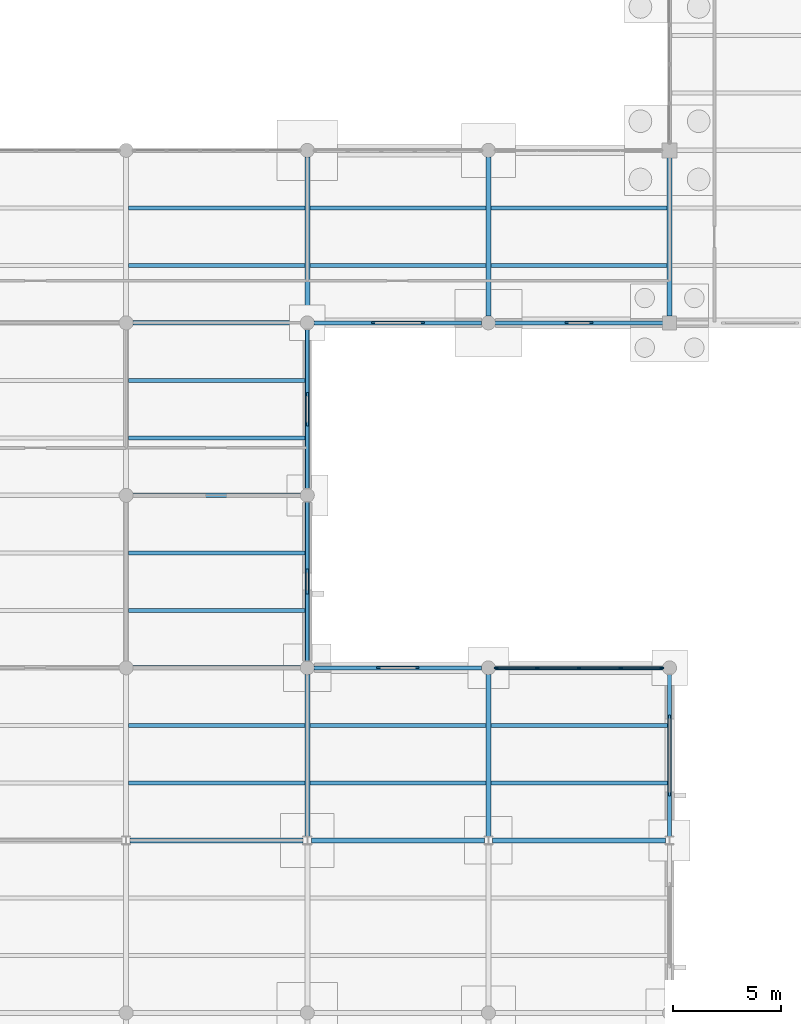
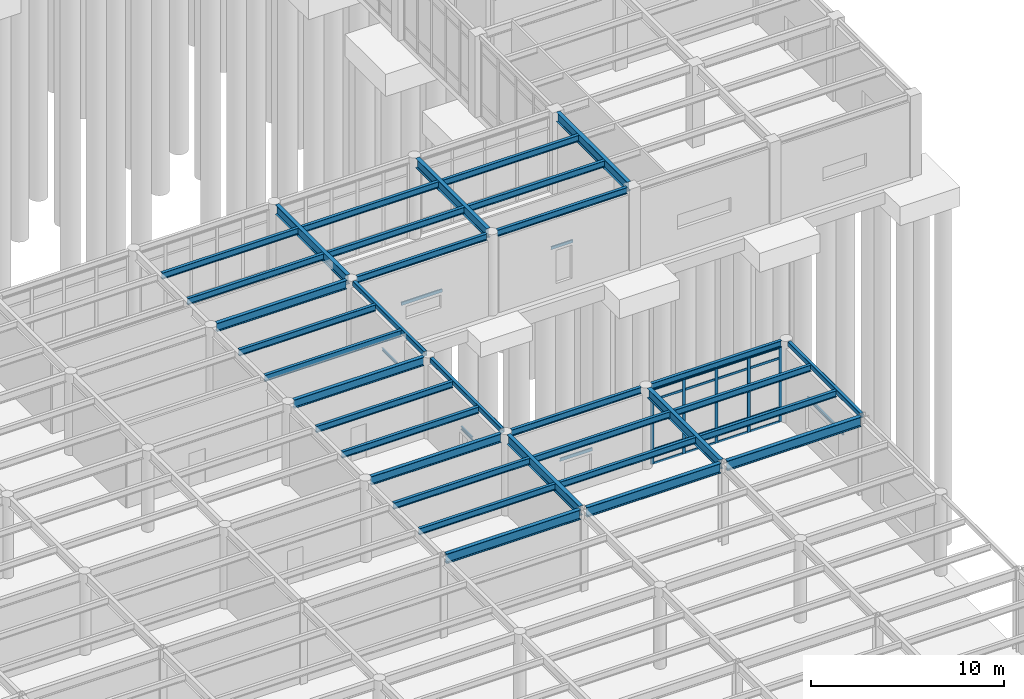
# One storey, part 55 of 138: 40 beams, 21 members, 1 element without a shape of its own.
"""IFC4 building model written with IfcOpenShell, lengths in metres."""

from ifc_helpers import new_model, si_unit, direction, frame, origin, origin_2d, place, context, subcontext, project, spatial, rectangle, hollow_rectangle, i_section, u_section, extrude, material, layer, layer_set, material_profile, profile_set, type_object, element, aggregate, save


model = new_model("IFC4")

# Units and contexts
model_context = context("Model", 3, precision=1e-05, world=origin(), true_north=direction((0.0, 1.0)))
body_context = subcontext(model_context, "Body", "Model", "MODEL_VIEW")
ifc_project = project(units=[si_unit("LENGTHUNIT", "METRE"), si_unit("AREAUNIT", "SQUARE_METRE"), si_unit("VOLUMEUNIT", "CUBIC_METRE"), si_unit("PLANEANGLEUNIT", "RADIAN"), si_unit("MASSUNIT", "GRAM", prefix="KILO")], contexts=[model_context])

# Site, building, storey
site_placement = place(None, origin())
site = spatial("IfcSite", under=ifc_project, at=site_placement, CompositionType="ELEMENT")
building_placement = place(site_placement, origin())
building = spatial("IfcBuilding", under=site, at=building_placement, Name="Kranzveld Transit Interchange", CompositionType="ELEMENT")
storey_placement = place(building_placement, origin())
storey = spatial("IfcBuildingStorey", under=building, at=storey_placement, Name="L00", CompositionType="ELEMENT", Elevation=0.0)

# Curtain wall, members
ifc_material_1 = material(Name="Bronze-anodised thermally broken aluminium", Category="aluminium")
ifc_layer = layer(ifc_material_1, 0.179931640625)
ifc_layer_set = layer_set([ifc_layer], Name="Bronze-anodised thermally broken aluminium")
curtain_wall_type = type_object("IfcCurtainWallType", Name="Concourse Unitised Curtain Wall CW-1", PredefinedType="USERDEFINED", material=ifc_layer_set)
curtain_wall_placement = place(storey_placement, origin())
curtain_wall = element("IfcCurtainWall", 1, at=curtain_wall_placement, inside=storey, type_object=curtain_wall_type, Name="L00 Curtain Wall 18/F-19/F", ObjectType="CURTAIN WALL", PredefinedType="USERDEFINED")
ifc_material_2 = material(Name="Bronze-anodised thermally broken aluminium", Category="aluminium")
ifc_material_profile_1 = material_profile(ifc_material_2, rectangle(XDim=0.06494140625, YDim=0.179931640625, at=origin_2d()), Name="ALU MULLION 65x180")
ifc_profile_set_1 = profile_set([ifc_material_profile_1], Name="Bronze-anodised thermally broken aluminium")
member_type_1 = type_object("IfcMemberType", Name="Curtain Wall Mullion 65x180 Alu", PredefinedType="MULLION", material=ifc_profile_set_1)
member_1_placement = place(storey_placement, frame((143.157470703125, 40.0, 0.0), z_axis=(0.0, 0.0, 1.0), x_axis=(0.0, 1.0, 0.0)))
member_1 = element("IfcMember", 2, at=member_1_placement, type_object=member_type_1, Name="CW-1 mullion 1", PredefinedType="MULLION", context=body_context, shape_type="SweptSolid", body=[
    extrude(rectangle(XDim=0.06494140625, YDim=0.179931640625, at=origin_2d()), origin(), (0.0, 0.0, 1.0), 4.740478515625),
])
member_2_placement = place(storey_placement, frame((145.0625, 40.0, 0.0), z_axis=(0.0, 0.0, 1.0), x_axis=(0.0, 1.0, 0.0)))
member_2 = element("IfcMember", 3, at=member_2_placement, type_object=member_type_1, Name="CW-1 mullion 2", PredefinedType="MULLION", context=body_context, shape_type="SweptSolid", body=[
    extrude(rectangle(XDim=0.06494140625, YDim=0.179931640625, at=origin_2d()), origin(), (0.0, 0.0, 1.0), 4.740478515625),
])
member_3_placement = place(storey_placement, frame((147.0, 40.0, 0.0), z_axis=(0.0, 0.0, 1.0), x_axis=(0.0, 1.0, 0.0)))
member_3 = element("IfcMember", 4, at=member_3_placement, type_object=member_type_1, Name="CW-1 mullion 3", PredefinedType="MULLION", context=body_context, shape_type="SweptSolid", body=[
    extrude(rectangle(XDim=0.06494140625, YDim=0.179931640625, at=origin_2d()), origin(), (0.0, 0.0, 1.0), 4.740478515625),
])
member_4_placement = place(storey_placement, frame((148.9375, 40.0, 0.0), z_axis=(0.0, 0.0, 1.0), x_axis=(0.0, 1.0, 0.0)))
member_4 = element("IfcMember", 5, at=member_4_placement, type_object=member_type_1, Name="CW-1 mullion 4", PredefinedType="MULLION", context=body_context, shape_type="SweptSolid", body=[
    extrude(rectangle(XDim=0.06494140625, YDim=0.179931640625, at=origin_2d()), origin(), (0.0, 0.0, 1.0), 4.740478515625),
])
member_5_placement = place(storey_placement, frame((150.842529296875, 40.0, 0.0), z_axis=(0.0, 0.0, 1.0), x_axis=(0.0, 1.0, 0.0)))
member_5 = element("IfcMember", 6, at=member_5_placement, type_object=member_type_1, Name="CW-1 mullion 5", PredefinedType="MULLION", context=body_context, shape_type="SweptSolid", body=[
    extrude(rectangle(XDim=0.06494140625, YDim=0.179931640625, at=origin_2d()), origin(), (0.0, 0.0, 1.0), 4.740478515625),
])
ifc_material_3 = material(Name="Bronze-anodised thermally broken aluminium", Category="aluminium")
ifc_material_profile_2 = material_profile(ifc_material_3, rectangle(XDim=0.06494140625, YDim=0.139892578125, at=origin_2d()), Name="ALU TRANSOM 65x140")
ifc_profile_set_2 = profile_set([ifc_material_profile_2], Name="Bronze-anodised thermally broken aluminium")
member_type_2 = type_object("IfcMemberType", Name="Curtain Wall Transom 65x140 Alu", PredefinedType="USERDEFINED", material=ifc_profile_set_2)
member_6_placement = place(storey_placement, frame((143.18994140625, 40.0, 0.032470703125), z_axis=(1.0, 0.0, 0.0), x_axis=(0.0, 1.0, 0.0)))
member_6 = element("IfcMember", 7, at=member_6_placement, type_object=member_type_2, Name="CW-1 transom 1.1", ObjectType="TRANSOM", PredefinedType="USERDEFINED", context=body_context, shape_type="SweptSolid", body=[
    extrude(rectangle(XDim=0.06494140625, YDim=0.139892578125, at=origin_2d()), origin(), (0.0, 0.0, 1.0), 1.840087890625),
])
member_7_placement = place(storey_placement, frame((143.18994140625, 40.0, 0.89990234375), z_axis=(1.0, 0.0, 0.0), x_axis=(0.0, 1.0, 0.0)))
member_7 = element("IfcMember", 8, at=member_7_placement, type_object=member_type_2, Name="CW-1 transom 1.2", ObjectType="TRANSOM", PredefinedType="USERDEFINED", context=body_context, shape_type="SweptSolid", body=[
    extrude(rectangle(XDim=0.06494140625, YDim=0.139892578125, at=origin_2d()), origin(), (0.0, 0.0, 1.0), 1.840087890625),
])
member_8_placement = place(storey_placement, frame((143.18994140625, 40.0, 4.04052734375), z_axis=(1.0, 0.0, 0.0), x_axis=(0.0, 1.0, 0.0)))
member_8 = element("IfcMember", 9, at=member_8_placement, type_object=member_type_2, Name="CW-1 transom 1.3", ObjectType="TRANSOM", PredefinedType="USERDEFINED", context=body_context, shape_type="SweptSolid", body=[
    extrude(rectangle(XDim=0.06494140625, YDim=0.139892578125, at=origin_2d()), origin(), (0.0, 0.0, 1.0), 1.840087890625),
])
member_9_placement = place(storey_placement, frame((143.18994140625, 40.0, 4.7080078125), z_axis=(1.0, 0.0, 0.0), x_axis=(0.0, 1.0, 0.0)))
member_9 = element("IfcMember", 10, at=member_9_placement, type_object=member_type_2, Name="CW-1 transom 1.4", ObjectType="TRANSOM", PredefinedType="USERDEFINED", context=body_context, shape_type="SweptSolid", body=[
    extrude(rectangle(XDim=0.06494140625, YDim=0.139892578125, at=origin_2d()), origin(), (0.0, 0.0, 1.0), 1.840087890625),
])
member_10_placement = place(storey_placement, frame((145.094970703125, 40.0, 0.032470703125), z_axis=(1.0, 0.0, 0.0), x_axis=(0.0, 1.0, 0.0)))
member_10 = element("IfcMember", 11, at=member_10_placement, type_object=member_type_2, Name="CW-1 transom 2.1", ObjectType="TRANSOM", PredefinedType="USERDEFINED", context=body_context, shape_type="SweptSolid", body=[
    extrude(rectangle(XDim=0.06494140625, YDim=0.139892578125, at=origin_2d()), origin(), (0.0, 0.0, 1.0), 1.87255859375),
])
member_11_placement = place(storey_placement, frame((145.094970703125, 40.0, 0.89990234375), z_axis=(1.0, 0.0, 0.0), x_axis=(0.0, 1.0, 0.0)))
member_11 = element("IfcMember", 12, at=member_11_placement, type_object=member_type_2, Name="CW-1 transom 2.2", ObjectType="TRANSOM", PredefinedType="USERDEFINED", context=body_context, shape_type="SweptSolid", body=[
    extrude(rectangle(XDim=0.06494140625, YDim=0.139892578125, at=origin_2d()), origin(), (0.0, 0.0, 1.0), 1.87255859375),
])
member_12_placement = place(storey_placement, frame((145.094970703125, 40.0, 4.04052734375), z_axis=(1.0, 0.0, 0.0), x_axis=(0.0, 1.0, 0.0)))
member_12 = element("IfcMember", 13, at=member_12_placement, type_object=member_type_2, Name="CW-1 transom 2.3", ObjectType="TRANSOM", PredefinedType="USERDEFINED", context=body_context, shape_type="SweptSolid", body=[
    extrude(rectangle(XDim=0.06494140625, YDim=0.139892578125, at=origin_2d()), origin(), (0.0, 0.0, 1.0), 1.87255859375),
])
member_13_placement = place(storey_placement, frame((145.094970703125, 40.0, 4.7080078125), z_axis=(1.0, 0.0, 0.0), x_axis=(0.0, 1.0, 0.0)))
member_13 = element("IfcMember", 14, at=member_13_placement, type_object=member_type_2, Name="CW-1 transom 2.4", ObjectType="TRANSOM", PredefinedType="USERDEFINED", context=body_context, shape_type="SweptSolid", body=[
    extrude(rectangle(XDim=0.06494140625, YDim=0.139892578125, at=origin_2d()), origin(), (0.0, 0.0, 1.0), 1.87255859375),
])
member_14_placement = place(storey_placement, frame((147.032470703125, 40.0, 0.032470703125), z_axis=(1.0, 0.0, 0.0), x_axis=(0.0, 1.0, 0.0)))
member_14 = element("IfcMember", 15, at=member_14_placement, type_object=member_type_2, Name="CW-1 transom 3.1", ObjectType="TRANSOM", PredefinedType="USERDEFINED", context=body_context, shape_type="SweptSolid", body=[
    extrude(rectangle(XDim=0.06494140625, YDim=0.139892578125, at=origin_2d()), origin(), (0.0, 0.0, 1.0), 1.87255859375),
])
member_15_placement = place(storey_placement, frame((147.032470703125, 40.0, 0.89990234375), z_axis=(1.0, 0.0, 0.0), x_axis=(0.0, 1.0, 0.0)))
member_15 = element("IfcMember", 16, at=member_15_placement, type_object=member_type_2, Name="CW-1 transom 3.2", ObjectType="TRANSOM", PredefinedType="USERDEFINED", context=body_context, shape_type="SweptSolid", body=[
    extrude(rectangle(XDim=0.06494140625, YDim=0.139892578125, at=origin_2d()), origin(), (0.0, 0.0, 1.0), 1.87255859375),
])
member_16_placement = place(storey_placement, frame((147.032470703125, 40.0, 4.04052734375), z_axis=(1.0, 0.0, 0.0), x_axis=(0.0, 1.0, 0.0)))
member_16 = element("IfcMember", 17, at=member_16_placement, type_object=member_type_2, Name="CW-1 transom 3.3", ObjectType="TRANSOM", PredefinedType="USERDEFINED", context=body_context, shape_type="SweptSolid", body=[
    extrude(rectangle(XDim=0.06494140625, YDim=0.139892578125, at=origin_2d()), origin(), (0.0, 0.0, 1.0), 1.87255859375),
])
member_17_placement = place(storey_placement, frame((147.032470703125, 40.0, 4.7080078125), z_axis=(1.0, 0.0, 0.0), x_axis=(0.0, 1.0, 0.0)))
member_17 = element("IfcMember", 18, at=member_17_placement, type_object=member_type_2, Name="CW-1 transom 3.4", ObjectType="TRANSOM", PredefinedType="USERDEFINED", context=body_context, shape_type="SweptSolid", body=[
    extrude(rectangle(XDim=0.06494140625, YDim=0.139892578125, at=origin_2d()), origin(), (0.0, 0.0, 1.0), 1.87255859375),
])
member_18_placement = place(storey_placement, frame((148.969970703125, 40.0, 0.032470703125), z_axis=(1.0, 0.0, 0.0), x_axis=(0.0, 1.0, 0.0)))
member_18 = element("IfcMember", 19, at=member_18_placement, type_object=member_type_2, Name="CW-1 transom 4.1", ObjectType="TRANSOM", PredefinedType="USERDEFINED", context=body_context, shape_type="SweptSolid", body=[
    extrude(rectangle(XDim=0.06494140625, YDim=0.139892578125, at=origin_2d()), origin(), (0.0, 0.0, 1.0), 1.840087890625),
])
member_19_placement = place(storey_placement, frame((148.969970703125, 40.0, 0.89990234375), z_axis=(1.0, 0.0, 0.0), x_axis=(0.0, 1.0, 0.0)))
member_19 = element("IfcMember", 20, at=member_19_placement, type_object=member_type_2, Name="CW-1 transom 4.2", ObjectType="TRANSOM", PredefinedType="USERDEFINED", context=body_context, shape_type="SweptSolid", body=[
    extrude(rectangle(XDim=0.06494140625, YDim=0.139892578125, at=origin_2d()), origin(), (0.0, 0.0, 1.0), 1.840087890625),
])
member_20_placement = place(storey_placement, frame((148.969970703125, 40.0, 4.04052734375), z_axis=(1.0, 0.0, 0.0), x_axis=(0.0, 1.0, 0.0)))
member_20 = element("IfcMember", 21, at=member_20_placement, type_object=member_type_2, Name="CW-1 transom 4.3", ObjectType="TRANSOM", PredefinedType="USERDEFINED", context=body_context, shape_type="SweptSolid", body=[
    extrude(rectangle(XDim=0.06494140625, YDim=0.139892578125, at=origin_2d()), origin(), (0.0, 0.0, 1.0), 1.840087890625),
])
member_21_placement = place(storey_placement, frame((148.969970703125, 40.0, 4.7080078125), z_axis=(1.0, 0.0, 0.0), x_axis=(0.0, 1.0, 0.0)))
member_21 = element("IfcMember", 22, at=member_21_placement, type_object=member_type_2, Name="CW-1 transom 4.4", ObjectType="TRANSOM", PredefinedType="USERDEFINED", context=body_context, shape_type="SweptSolid", body=[
    extrude(rectangle(XDim=0.06494140625, YDim=0.139892578125, at=origin_2d()), origin(), (0.0, 0.0, 1.0), 1.840087890625),
])
aggregate(curtain_wall, [member_1, member_2, member_3, member_4, member_5, member_6, member_7, member_8, member_9, member_10, member_11, member_12, member_13, member_14, member_15, member_16, member_17, member_18, member_19, member_20, member_21])

# Beams
ifc_material_4 = material(Name="Steel S355JR", Category="steel")
ifc_material_profile_3 = material_profile(ifc_material_4, hollow_rectangle(XDim=0.199951171875, YDim=0.300048828125, WallThickness=0.010009765625, InnerFilletRadius=0.014892578125, OuterFilletRadius=0.02490234375, at=origin_2d()), Name="RHS 300x200x10")
ifc_profile_set_3 = profile_set([ifc_material_profile_3], Name="Steel S355JR")
beam_type_1 = type_object("IfcBeamType", Name="Edge Spandrel RHS 300x200x10 S355JR", PredefinedType="SPANDREL", material=ifc_profile_set_3)
for number, where, z_axis, x_axis, name in (
    (23, (134.39990234375, 40.31494140625, 5.0), (0.0, 1.0, 0.0), (-1.0, 0.0, 0.0), "L00 Girder 17/F-G"),
    (24, (134.39990234375, 48.31494140625, 5.0), (0.0, 1.0, 0.0), (-1.0, 0.0, 0.0), "L00 Girder 17/G-H"),
):
    element("IfcBeam", number, at=place(storey_placement, frame(where, z_axis=z_axis, x_axis=x_axis)), inside=storey, type_object=beam_type_1, Name=name, PredefinedType="SPANDREL", context=body_context, shape_type="SweptSolid", body=[
        extrude(hollow_rectangle(XDim=0.199951171875, YDim=0.300048828125, WallThickness=0.010009765625, InnerFilletRadius=0.014892578125, OuterFilletRadius=0.02490234375, at=origin_2d()), origin(), (0.0, 0.0, 1.0), 7.3701171875),
    ])
beam_1_placement = place(storey_placement, frame((151.199951171875, 32.186767578125, 5.0), z_axis=(0.0, 1.0, 0.0), x_axis=(-1.0, 0.0, 0.0)))
element("IfcBeam", 25, at=beam_1_placement, inside=storey, type_object=beam_type_1, Name="L00 Girder 19/E-F", PredefinedType="SPANDREL", context=body_context, shape_type="SweptSolid", body=[
    extrude(hollow_rectangle(XDim=0.199951171875, YDim=0.300048828125, WallThickness=0.010009765625, InnerFilletRadius=0.014892578125, OuterFilletRadius=0.02490234375, at=origin_2d()), origin(), (0.0, 0.0, 1.0), 7.498291015625),
])
ifc_material_5 = material(Name="Steel S355JR", Category="steel")
ifc_material_profile_4 = material_profile(ifc_material_5, i_section(OverallWidth=0.1787109375, OverallDepth=0.409423828125, WebThickness=0.0087890625, FlangeThickness=0.014404296875, FilletRadius=0.01025390625, at=origin_2d()), Name="UB 406x178x67")
ifc_profile_set_4 = profile_set([ifc_material_profile_4], Name="Steel S355JR")
beam_type_2 = type_object("IfcBeamType", Name="Facade Spandrel UB 406x178x67 S355JR", PredefinedType="SPANDREL", material=ifc_profile_set_4)
for number, where, z_axis, x_axis, name in (
    (26, (134.715087890625, 40.0, 4.9453125), (1.0, 0.0, 0.0), (0.0, 1.0, 0.0), "L00 Girder 17-18/F"),
    (27, (143.114990234375, 40.0, 4.9453125), (1.0, 0.0, 0.0), (0.0, 1.0, 0.0), "L00 Girder 18-19/F"),
    (28, (134.715087890625, 56.0, 4.9453125), (1.0, 0.0, 0.0), (0.0, 1.0, 0.0), "L00 Girder 17-18/H"),
    (29, (143.114990234375, 56.0, 4.9453125), (1.0, 0.0, 0.0), (0.0, 1.0, 0.0), "L00 Girder 18-19/H"),
):
    element("IfcBeam", number, at=place(storey_placement, frame(where, z_axis=z_axis, x_axis=x_axis)), inside=storey, type_object=beam_type_2, Name=name, PredefinedType="SPANDREL", context=body_context, shape_type="SweptSolid", body=[
        extrude(i_section(OverallWidth=0.1787109375, OverallDepth=0.409423828125, WebThickness=0.0087890625, FlangeThickness=0.014404296875, FilletRadius=0.01025390625, at=origin_2d()), origin(), (0.0, 0.0, 1.0), 7.77001953125),
    ])
ifc_material_6 = material(Name="Steel S355JR", Category="steel")
ifc_material_profile_5 = material_profile(ifc_material_6, i_section(OverallWidth=0.177734375, OverallDepth=0.402587890625, WebThickness=0.0078125, FlangeThickness=0.010986328125, FilletRadius=0.01025390625, at=origin_2d()), Name="UB 406x178x54")
ifc_profile_set_5 = profile_set([ifc_material_profile_5], Name="Steel S355JR")
beam_type_3 = type_object("IfcBeamType", Name="Floor Joist UB 406x178x54 S355JR", PredefinedType="JOIST", material=ifc_profile_set_5)
for number, where, z_axis, x_axis, name in (
    (30, (126.1162109375, 34.666748046875, 4.94873046875), (1.0, 0.0, 0.0), (0.0, 1.0, 0.0), "L00 Secondary Joist 16-17/E.1"),
    (31, (126.1162109375, 37.333251953125, 4.94873046875), (1.0, 0.0, 0.0), (0.0, 1.0, 0.0), "L00 Secondary Joist 16-17/E.2"),
):
    element("IfcBeam", number, at=place(storey_placement, frame(where, z_axis=z_axis, x_axis=x_axis)), inside=storey, type_object=beam_type_3, Name=name, PredefinedType="JOIST", context=body_context, shape_type="SweptSolid", body=[
        extrude(i_section(OverallWidth=0.177734375, OverallDepth=0.402587890625, WebThickness=0.0078125, FlangeThickness=0.010986328125, FilletRadius=0.01025390625, at=origin_2d()), origin(), (0.0, 0.0, 1.0), 8.167724609375),
    ])
for number, where, z_axis, x_axis, name in (
    (32, (126.1162109375, 42.666748046875, 4.94873046875), (1.0, 0.0, 0.0), (0.0, 1.0, 0.0), "L00 Secondary Joist 16-17/F.1"),
    (33, (126.1162109375, 45.333251953125, 4.94873046875), (1.0, 0.0, 0.0), (0.0, 1.0, 0.0), "L00 Secondary Joist 16-17/F.2"),
    (34, (126.1162109375, 50.666748046875, 4.94873046875), (1.0, 0.0, 0.0), (0.0, 1.0, 0.0), "L00 Secondary Joist 16-17/G.1"),
    (35, (126.1162109375, 53.333251953125, 4.94873046875), (1.0, 0.0, 0.0), (0.0, 1.0, 0.0), "L00 Secondary Joist 16-17/G.2"),
):
    element("IfcBeam", number, at=place(storey_placement, frame(where, z_axis=z_axis, x_axis=x_axis)), inside=storey, type_object=beam_type_3, Name=name, PredefinedType="JOIST", context=body_context, shape_type="SweptSolid", body=[
        extrude(i_section(OverallWidth=0.177734375, OverallDepth=0.402587890625, WebThickness=0.0078125, FlangeThickness=0.010986328125, FilletRadius=0.01025390625, at=origin_2d()), origin(), (0.0, 0.0, 1.0), 8.181884765625),
    ])
for number, where, z_axis, x_axis, name in (
    (36, (126.1162109375, 58.666748046875, 4.94873046875), (1.0, 0.0, 0.0), (0.0, 1.0, 0.0), "L00 Secondary Joist 16-17/H.1"),
    (37, (126.1162109375, 61.333251953125, 4.94873046875), (1.0, 0.0, 0.0), (0.0, 1.0, 0.0), "L00 Secondary Joist 16-17/H.2"),
    (38, (134.51611328125, 34.666748046875, 4.94873046875), (1.0, 0.0, 0.0), (0.0, 1.0, 0.0), "L00 Secondary Joist 17-18/E.1"),
    (39, (134.51611328125, 37.333251953125, 4.94873046875), (1.0, 0.0, 0.0), (0.0, 1.0, 0.0), "L00 Secondary Joist 17-18/E.2"),
    (40, (134.51611328125, 58.666748046875, 4.94873046875), (1.0, 0.0, 0.0), (0.0, 1.0, 0.0), "L00 Secondary Joist 17-18/H.1"),
    (41, (134.51611328125, 61.333251953125, 4.94873046875), (1.0, 0.0, 0.0), (0.0, 1.0, 0.0), "L00 Secondary Joist 17-18/H.2"),
):
    element("IfcBeam", number, at=place(storey_placement, frame(where, z_axis=z_axis, x_axis=x_axis)), inside=storey, type_object=beam_type_3, Name=name, PredefinedType="JOIST", context=body_context, shape_type="SweptSolid", body=[
        extrude(i_section(OverallWidth=0.177734375, OverallDepth=0.402587890625, WebThickness=0.0078125, FlangeThickness=0.010986328125, FilletRadius=0.01025390625, at=origin_2d()), origin(), (0.0, 0.0, 1.0), 8.167724609375),
    ])
for number, where, z_axis, x_axis, name in (
    (42, (142.916015625, 34.666748046875, 4.94873046875), (1.0, 0.0, 0.0), (0.0, 1.0, 0.0), "L00 Secondary Joist 18-19/E.1"),
    (43, (142.916015625, 37.333251953125, 4.94873046875), (1.0, 0.0, 0.0), (0.0, 1.0, 0.0), "L00 Secondary Joist 18-19/E.2"),
):
    element("IfcBeam", number, at=place(storey_placement, frame(where, z_axis=z_axis, x_axis=x_axis)), inside=storey, type_object=beam_type_3, Name=name, PredefinedType="JOIST", context=body_context, shape_type="SweptSolid", body=[
        extrude(i_section(OverallWidth=0.177734375, OverallDepth=0.402587890625, WebThickness=0.0078125, FlangeThickness=0.010986328125, FilletRadius=0.01025390625, at=origin_2d()), origin(), (0.0, 0.0, 1.0), 8.181884765625),
    ])
for number, where, z_axis, x_axis, name in (
    (44, (142.916015625, 58.666748046875, 4.94873046875), (1.0, 0.0, 0.0), (0.0, 1.0, 0.0), "L00 Secondary Joist 18-19/H.1"),
    (45, (142.916015625, 61.333251953125, 4.94873046875), (1.0, 0.0, 0.0), (0.0, 1.0, 0.0), "L00 Secondary Joist 18-19/H.2"),
):
    element("IfcBeam", number, at=place(storey_placement, frame(where, z_axis=z_axis, x_axis=x_axis)), inside=storey, type_object=beam_type_3, Name=name, PredefinedType="JOIST", context=body_context, shape_type="SweptSolid", body=[
        extrude(i_section(OverallWidth=0.177734375, OverallDepth=0.402587890625, WebThickness=0.0078125, FlangeThickness=0.010986328125, FilletRadius=0.01025390625, at=origin_2d()), origin(), (0.0, 0.0, 1.0), 8.16796875),
    ])
ifc_material_7 = material(Name="Steel S355JR", Category="steel")
ifc_material_profile_6 = material_profile(ifc_material_7, i_section(OverallWidth=0.2119140625, OverallDepth=0.54443359375, WebThickness=0.0126953125, FlangeThickness=0.021240234375, FilletRadius=0.0126953125, at=origin_2d()), Name="UB 533x210x122")
ifc_profile_set_6 = profile_set([ifc_material_profile_6], Name="Steel S355JR")
beam_type_4 = type_object("IfcBeamType", Name="Girder Steel UB 533x210x122 S355JR", PredefinedType="BEAM", material=ifc_profile_set_6)
for number, where, z_axis, x_axis, name in (
    (46, (126.31494140625, 40.0, 4.877685546875), (1.0, 0.0, 0.0), (0.0, 1.0, 0.0), "L00 Girder 16-17/F"),
    (47, (126.31494140625, 48.0, 4.877685546875), (1.0, 0.0, 0.0), (0.0, 1.0, 0.0), "L00 Girder 16-17/G"),
    (48, (126.31494140625, 56.0, 4.877685546875), (1.0, 0.0, 0.0), (0.0, 1.0, 0.0), "L00 Girder 16-17/H"),
):
    element("IfcBeam", number, at=place(storey_placement, frame(where, z_axis=z_axis, x_axis=x_axis)), inside=storey, type_object=beam_type_4, Name=name, PredefinedType="BEAM", context=body_context, shape_type="SweptSolid", body=[
        extrude(i_section(OverallWidth=0.2119140625, OverallDepth=0.54443359375, WebThickness=0.0126953125, FlangeThickness=0.021240234375, FilletRadius=0.0126953125, at=origin_2d()), origin(), (0.0, 0.0, 1.0), 7.77001953125),
    ])
ifc_material_8 = material(Name="Steel S355JR", Category="steel")
ifc_material_profile_7 = material_profile(ifc_material_8, i_section(OverallWidth=0.228271484375, OverallDepth=0.607666015625, WebThickness=0.010986328125, FlangeThickness=0.017333984375, FilletRadius=0.0126953125, at=origin_2d()), Name="UB 610x229x113")
ifc_profile_set_7 = profile_set([ifc_material_profile_7], Name="Steel S355JR")
beam_type_5 = type_object("IfcBeamType", Name="Girder Steel UB 610x229x113 S355JR", PredefinedType="BEAM", material=ifc_profile_set_7)
beam_2_placement = place(storey_placement, frame((134.39990234375, 32.186767578125, 4.84619140625), z_axis=(0.0, 1.0, 0.0), x_axis=(-1.0, 0.0, 0.0)))
element("IfcBeam", 49, at=beam_2_placement, inside=storey, type_object=beam_type_5, Name="L00 Girder 17/E-F", PredefinedType="BEAM", context=body_context, shape_type="SweptSolid", body=[
    extrude(i_section(OverallWidth=0.228271484375, OverallDepth=0.607666015625, WebThickness=0.010986328125, FlangeThickness=0.017333984375, FilletRadius=0.0126953125, at=origin_2d()), origin(), (0.0, 0.0, 1.0), 7.498291015625),
])
beam_3_placement = place(storey_placement, frame((134.39990234375, 56.31494140625, 4.84619140625), z_axis=(0.0, 1.0, 0.0), x_axis=(-1.0, 0.0, 0.0)))
element("IfcBeam", 50, at=beam_3_placement, inside=storey, type_object=beam_type_5, Name="L00 Girder 17/H-J", PredefinedType="BEAM", context=body_context, shape_type="SweptSolid", body=[
    extrude(i_section(OverallWidth=0.228271484375, OverallDepth=0.607666015625, WebThickness=0.010986328125, FlangeThickness=0.017333984375, FilletRadius=0.0126953125, at=origin_2d()), origin(), (0.0, 0.0, 1.0), 7.3701171875),
])
beam_4_placement = place(storey_placement, frame((142.800048828125, 32.186767578125, 4.84619140625), z_axis=(0.0, 1.0, 0.0), x_axis=(-1.0, 0.0, 0.0)))
element("IfcBeam", 51, at=beam_4_placement, inside=storey, type_object=beam_type_5, Name="L00 Girder 18/E-F", PredefinedType="BEAM", context=body_context, shape_type="SweptSolid", body=[
    extrude(i_section(OverallWidth=0.228271484375, OverallDepth=0.607666015625, WebThickness=0.010986328125, FlangeThickness=0.017333984375, FilletRadius=0.0126953125, at=origin_2d()), origin(), (0.0, 0.0, 1.0), 7.498291015625),
])
beam_5_placement = place(storey_placement, frame((142.800048828125, 56.31494140625, 4.84619140625), z_axis=(0.0, 1.0, 0.0), x_axis=(-1.0, 0.0, 0.0)))
element("IfcBeam", 52, at=beam_5_placement, inside=storey, type_object=beam_type_5, Name="L00 Girder 18/H-J", PredefinedType="BEAM", context=body_context, shape_type="SweptSolid", body=[
    extrude(i_section(OverallWidth=0.228271484375, OverallDepth=0.607666015625, WebThickness=0.010986328125, FlangeThickness=0.017333984375, FilletRadius=0.0126953125, at=origin_2d()), origin(), (0.0, 0.0, 1.0), 7.3701171875),
])
beam_6_placement = place(storey_placement, frame((151.199951171875, 56.31494140625, 4.84619140625), z_axis=(0.0, 1.0, 0.0), x_axis=(-1.0, 0.0, 0.0)))
element("IfcBeam", 53, at=beam_6_placement, inside=storey, type_object=beam_type_5, Name="L00 Girder 19/H-J", PredefinedType="BEAM", context=body_context, shape_type="SweptSolid", body=[
    extrude(i_section(OverallWidth=0.228271484375, OverallDepth=0.607666015625, WebThickness=0.010986328125, FlangeThickness=0.017333984375, FilletRadius=0.0126953125, at=origin_2d()), origin(), (0.0, 0.0, 1.0), 7.344970703125),
])
ifc_material_9 = material(Name="Steel S355JR", Category="steel")
ifc_material_profile_8 = material_profile(ifc_material_9, i_section(OverallWidth=0.230224609375, OverallDepth=0.6171875, WebThickness=0.01318359375, FlangeThickness=0.022216796875, FilletRadius=0.0126953125, at=origin_2d()), Name="UB 610x229x140")
ifc_profile_set_8 = profile_set([ifc_material_profile_8], Name="Steel S355JR")
beam_type_6 = type_object("IfcBeamType", Name="Girder Steel UB 610x229x140 S355JR", PredefinedType="BEAM", material=ifc_profile_set_8)
for number, where, z_axis, x_axis, name in (
    (54, (126.189453125, 32.0, 4.84130859375), (1.0, 0.0, 0.0), (0.0, 1.0, 0.0), "L00 Girder 16-17/E"),
    (55, (134.589599609375, 32.0, 4.84130859375), (1.0, 0.0, 0.0), (0.0, 1.0, 0.0), "L00 Girder 17-18/E"),
    (56, (142.989501953125, 32.0, 4.84130859375), (1.0, 0.0, 0.0), (0.0, 1.0, 0.0), "L00 Girder 18-19/E"),
):
    element("IfcBeam", number, at=place(storey_placement, frame(where, z_axis=z_axis, x_axis=x_axis)), inside=storey, type_object=beam_type_6, Name=name, PredefinedType="BEAM", context=body_context, shape_type="SweptSolid", body=[
        extrude(i_section(OverallWidth=0.230224609375, OverallDepth=0.6171875, WebThickness=0.01318359375, FlangeThickness=0.022216796875, FilletRadius=0.0126953125, at=origin_2d()), origin(), (0.0, 0.0, 1.0), 8.02099609375),
    ])
ifc_material_10 = material(Name="Steel S355JR", Category="steel")
ifc_material_profile_9 = material_profile(ifc_material_10, u_section(Depth=0.179931640625, FlangeWidth=0.070068359375, WebThickness=0.007080078125, FlangeThickness=0.010986328125, FilletRadius=0.010009765625, at=origin_2d()), Name="PFC 180x70x22")
ifc_profile_set_9 = profile_set([ifc_material_profile_9], Name="Steel S355JR")
beam_type_7 = type_object("IfcBeamType", Name="Masonry Lintel PFC 180x70x22 S355JR", PredefinedType="LINTEL", material=ifc_profile_set_9)
beam_7_placement = place(storey_placement, frame((146.344970703125, 56.0, 2.844970703125), z_axis=(1.0, 0.0, 0.0), x_axis=(0.0, 1.0, 0.0)))
element("IfcBeam", 57, at=beam_7_placement, inside=storey, type_object=beam_type_7, Name="L00 Window Lintel 037", PredefinedType="LINTEL", context=body_context, shape_type="SweptSolid", body=[
    extrude(u_section(Depth=0.179931640625, FlangeWidth=0.070068359375, WebThickness=0.007080078125, FlangeThickness=0.010986328125, FilletRadius=0.010009765625, at=origin_2d()), origin(), (0.0, 0.0, 1.0), 1.31005859375),
])
ifc_material_11 = material(Name="Steel S355JR", Category="steel")
ifc_material_profile_10 = material_profile(ifc_material_11, u_section(Depth=0.199951171875, FlangeWidth=0.074951171875, WebThickness=0.006103515625, FlangeThickness=0.012451171875, FilletRadius=0.011962890625, at=origin_2d()), Name="PFC 200x75x23")
ifc_profile_set_10 = profile_set([ifc_material_profile_10], Name="Steel S355JR")
beam_type_8 = type_object("IfcBeamType", Name="Masonry Lintel PFC 200x75x23 S355JR", PredefinedType="LINTEL", material=ifc_profile_set_10)
beam_8_placement = place(storey_placement, frame((137.3701171875, 56.0, 2.455078125), z_axis=(1.0, 0.0, 0.0), x_axis=(0.0, 1.0, 0.0)))
element("IfcBeam", 58, at=beam_8_placement, inside=storey, type_object=beam_type_8, Name="L00 Window Lintel 036", PredefinedType="LINTEL", context=body_context, shape_type="SweptSolid", body=[
    extrude(u_section(Depth=0.199951171875, FlangeWidth=0.074951171875, WebThickness=0.006103515625, FlangeThickness=0.012451171875, FilletRadius=0.011962890625, at=origin_2d()), origin(), (0.0, 0.0, 1.0), 2.4599609375),
])
beam_9_placement = place(storey_placement, frame((137.6201171875, 40.0, 2.205078125), z_axis=(1.0, 0.0, 0.0), x_axis=(0.0, 1.0, 0.0)))
element("IfcBeam", 59, at=beam_9_placement, inside=storey, type_object=beam_type_8, Name="L00 Window Lintel 040", PredefinedType="LINTEL", context=body_context, shape_type="SweptSolid", body=[
    extrude(u_section(Depth=0.199951171875, FlangeWidth=0.074951171875, WebThickness=0.006103515625, FlangeThickness=0.012451171875, FilletRadius=0.011962890625, at=origin_2d()), origin(), (0.0, 0.0, 1.0), 1.9599609375),
])
ifc_material_12 = material(Name="Steel S355JR", Category="steel")
ifc_material_profile_11 = material_profile(ifc_material_12, i_section(OverallWidth=0.091064453125, OverallDepth=0.179931640625, WebThickness=0.00537109375, FlangeThickness=0.008056640625, FilletRadius=0.009033203125, at=origin_2d()), Name="IPE 180")
ifc_profile_set_11 = profile_set([ifc_material_profile_11], Name="Steel S355JR")
beam_type_9 = type_object("IfcBeamType", Name="Opening Lintel IPE 180 S355JR", PredefinedType="LINTEL", material=ifc_profile_set_11)
beam_10_placement = place(storey_placement, frame((134.39990234375, 51.219970703125, 2.594970703125), z_axis=(0.0, 1.0, 0.0), x_axis=(-1.0, 0.0, 0.0)))
element("IfcBeam", 60, at=beam_10_placement, inside=storey, type_object=beam_type_9, Name="L00 Window Lintel 039", PredefinedType="LINTEL", context=body_context, shape_type="SweptSolid", body=[
    extrude(i_section(OverallWidth=0.091064453125, OverallDepth=0.179931640625, WebThickness=0.00537109375, FlangeThickness=0.008056640625, FilletRadius=0.009033203125, at=origin_2d()), origin(), (0.0, 0.0, 1.0), 1.56005859375),
])
ifc_material_13 = material(Name="Steel S355JR", Category="steel")
ifc_material_profile_12 = material_profile(ifc_material_13, i_section(OverallWidth=0.10009765625, OverallDepth=0.199951171875, WebThickness=0.005615234375, FlangeThickness=0.008544921875, FilletRadius=0.011962890625, at=origin_2d()), Name="IPE 200")
ifc_profile_set_12 = profile_set([ifc_material_profile_12], Name="Steel S355JR")
beam_type_10 = type_object("IfcBeamType", Name="Opening Lintel IPE 200 S355JR", PredefinedType="LINTEL", material=ifc_profile_set_12)
beam_11_placement = place(storey_placement, frame((134.39990234375, 43.419921875, 2.60498046875), z_axis=(0.0, 1.0, 0.0), x_axis=(-1.0, 0.0, 0.0)))
element("IfcBeam", 61, at=beam_11_placement, inside=storey, type_object=beam_type_10, Name="L00 Window Lintel 038", PredefinedType="LINTEL", context=body_context, shape_type="SweptSolid", body=[
    extrude(i_section(OverallWidth=0.10009765625, OverallDepth=0.199951171875, WebThickness=0.005615234375, FlangeThickness=0.008544921875, FilletRadius=0.011962890625, at=origin_2d()), origin(), (0.0, 0.0, 1.0), 1.16015625),
])
beam_12_placement = place(storey_placement, frame((151.199951171875, 34.055908203125, 2.705078125), z_axis=(0.0, 1.0, 0.0), x_axis=(-1.0, 0.0, 0.0)))
element("IfcBeam", 62, at=beam_12_placement, inside=storey, type_object=beam_type_10, Name="L00 Window Lintel 042", PredefinedType="LINTEL", context=body_context, shape_type="SweptSolid", body=[
    extrude(i_section(OverallWidth=0.10009765625, OverallDepth=0.199951171875, WebThickness=0.005615234375, FlangeThickness=0.008544921875, FilletRadius=0.011962890625, at=origin_2d()), origin(), (0.0, 0.0, 1.0), 3.760009765625),
])

save(model, "model.ifc")
